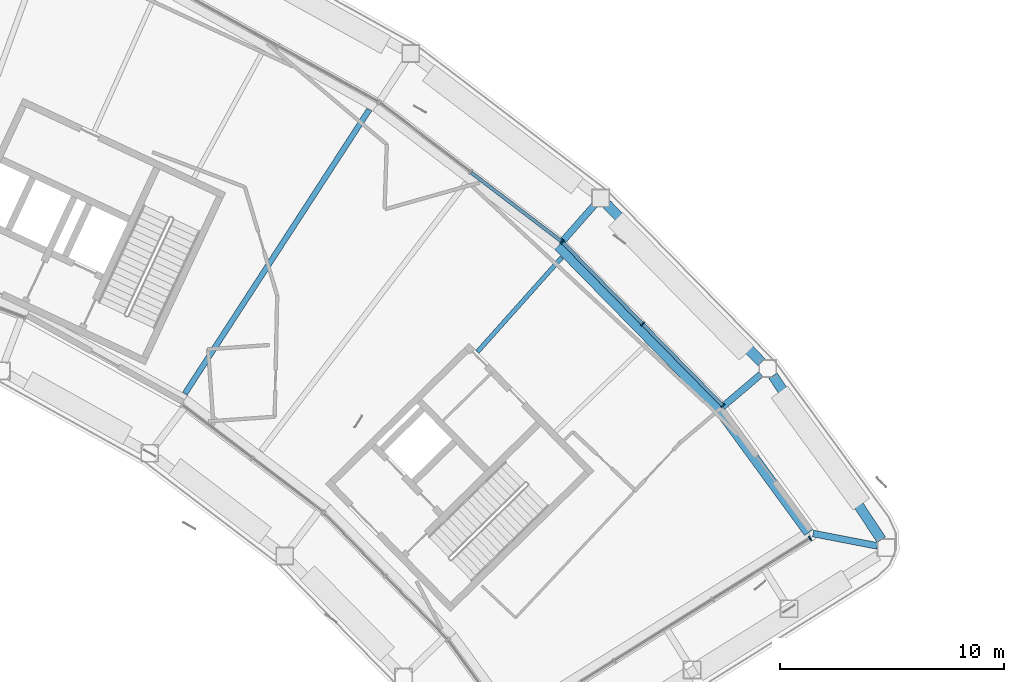
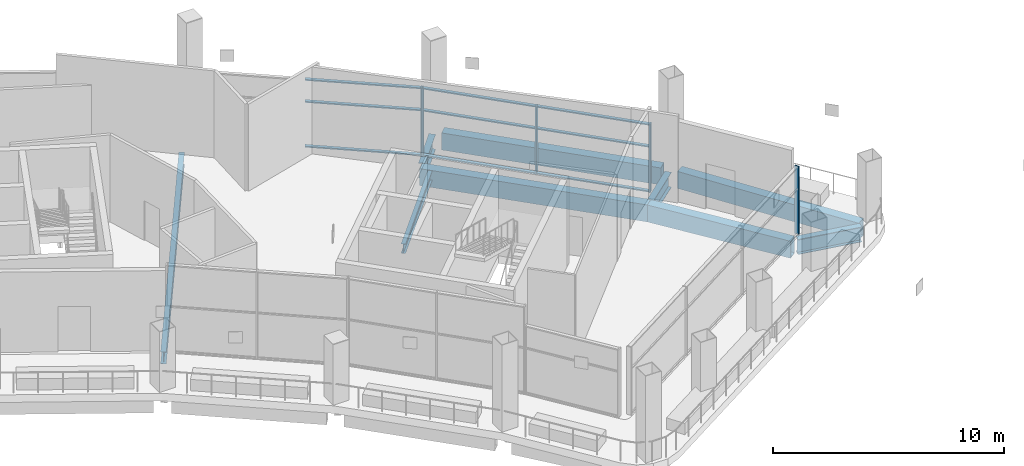
# One storey, part 10 of 29: 14 members, 9 beams, 3 elements without a shape of their own.
"""IFC4 building model written with IfcOpenShell, lengths in metres."""

from ifc_helpers import new_model, si_unit, direction, frame, origin, origin_2d, place, context, subcontext, project, spatial, rectangle, hollow_rectangle, i_section, extrude, material, layer, layer_set, material_profile, profile_set, type_object, element, aggregate, save


model = new_model("IFC4")

# Units and contexts
model_context = context("Model", 3, precision=1e-05, world=origin(), true_north=direction((0.0, 1.0)))
body_context = subcontext(model_context, "Body", "Model", "MODEL_VIEW")
ifc_project = project(units=[si_unit("LENGTHUNIT", "METRE"), si_unit("AREAUNIT", "SQUARE_METRE"), si_unit("VOLUMEUNIT", "CUBIC_METRE"), si_unit("PLANEANGLEUNIT", "RADIAN"), si_unit("MASSUNIT", "GRAM", prefix="KILO")], contexts=[model_context])

# Site, building, storey
site_placement = place(None, origin())
site = spatial("IfcSite", under=ifc_project, at=site_placement, CompositionType="ELEMENT")
building_placement = place(site_placement, origin())
building = spatial("IfcBuilding", under=site, at=building_placement, Name="Tuul Gate Civic Tower", CompositionType="ELEMENT")
storey_placement = place(building_placement, frame((0.0, 0.0, 238.89990234375)))
storey = spatial("IfcBuildingStorey", under=building, at=storey_placement, Name="Sky garden level 2", CompositionType="ELEMENT", Elevation=238.89990234375)

# Curtain wall, members
ifc_material_1 = material(Name="Aluminium", Category="aluminium")
ifc_layer = layer(ifc_material_1, 0.199951171875)
ifc_layer_set = layer_set([ifc_layer], Name="Aluminium")
curtain_wall_type = type_object("IfcCurtainWallType", Name="Curtain wall CW3B", PredefinedType="NOTDEFINED", material=ifc_layer_set)
curtain_wall_1_placement = place(storey_placement, origin())
curtain_wall_1 = element("IfcCurtainWall", 1, at=curtain_wall_1_placement, inside=storey, type_object=curtain_wall_type, Name="Curtain wall CW3B", PredefinedType="NOTDEFINED")
ifc_material_2 = material(Name="Aluminium", Category="aluminium")
ifc_material_profile_1 = material_profile(ifc_material_2, rectangle(XDim=0.219970703125, YDim=0.06005859375, at=origin_2d()), Name="CW3B mullion")
ifc_profile_set_1 = profile_set([ifc_material_profile_1], Name="Aluminium")
member_type_1 = type_object("IfcMemberType", Name="CW3B mullion", PredefinedType="MULLION", material=ifc_profile_set_1)
member_1_placement = place(storey_placement, frame((60.302001953125, -9.214599609375, 0.0), z_axis=(0.0, 0.0, 1.0), x_axis=(-0.714109949145, -0.700033556719, 0.0)))
member_1 = element("IfcMember", 2, at=member_1_placement, type_object=member_type_1, Name="Mullion", PredefinedType="MULLION", context=body_context, shape_type="SweptSolid", body=[
    extrude(rectangle(XDim=0.219970703125, YDim=0.06005859375, at=origin_2d()), origin(), (0.0, 0.0, 1.0), 3.59521484375),
])
member_2_placement = place(storey_placement, frame((56.717529296875, -5.55810546875, 0.0), z_axis=(0.0, 0.0, 1.0), x_axis=(-0.714109949145, -0.700033556719, 0.0)))
member_2 = element("IfcMember", 3, at=member_2_placement, type_object=member_type_1, Name="Mullion", PredefinedType="MULLION", context=body_context, shape_type="SweptSolid", body=[
    extrude(rectangle(XDim=0.219970703125, YDim=0.06005859375, at=origin_2d()), origin(), (0.0, 0.0, 1.0), 3.59521484375),
])
member_3_placement = place(storey_placement, frame((53.133056640625, -1.9013671875, 0.0), z_axis=(0.0, 0.0, 1.0), x_axis=(-0.714109949145, -0.700033556719, 0.0)))
member_3 = element("IfcMember", 4, at=member_3_placement, type_object=member_type_1, Name="Mullion", PredefinedType="MULLION", context=body_context, shape_type="SweptSolid", body=[
    extrude(rectangle(XDim=0.219970703125, YDim=0.06005859375, at=origin_2d()), origin(), (0.0, 0.0, 1.0), 3.59521484375),
])

# Curtain wall, member
curtain_wall_2_placement = place(storey_placement, origin())
curtain_wall_2 = element("IfcCurtainWall", 5, at=curtain_wall_2_placement, inside=storey, type_object=curtain_wall_type, Name="Curtain wall CW3B", PredefinedType="NOTDEFINED")
member_4_placement = place(storey_placement, frame((53.088134765625, -1.86181640625, 0.0), z_axis=(0.0, 0.0, 1.0), x_axis=(-0.605809182627, -0.79560997621, 0.0)))
member_4 = element("IfcMember", 6, at=member_4_placement, type_object=member_type_1, Name="Mullion", PredefinedType="MULLION", context=body_context, shape_type="SweptSolid", body=[
    extrude(rectangle(XDim=0.219970703125, YDim=0.06005859375, at=origin_2d()), origin(), (0.0, 0.0, 1.0), 3.59521484375),
])

curtain_wall_3_placement = place(storey_placement, origin())
curtain_wall_3 = element("IfcCurtainWall", 7, at=curtain_wall_3_placement, inside=storey, type_object=curtain_wall_type, Name="Curtain wall CW3B", PredefinedType="NOTDEFINED")
member_5_placement = place(storey_placement, frame((64.20751953125, -15.14990234375, 0.0), z_axis=(0.0, 0.0, 1.0), x_axis=(-0.529929534473, 0.848041678512, 0.0)))
member_5 = element("IfcMember", 8, at=member_5_placement, type_object=member_type_1, Name="Mullion", PredefinedType="MULLION", context=body_context, shape_type="SweptSolid", body=[
    extrude(rectangle(XDim=0.219970703125, YDim=0.06005859375, at=origin_2d()), origin(), (0.0, 0.0, 1.0), 3.59521484375),
])
aggregate(curtain_wall_3, [member_5])

# Member
ifc_material_3 = material(Name="Aluminium", Category="aluminium")
ifc_material_profile_2 = material_profile(ifc_material_3, rectangle(XDim=0.159912109375, YDim=0.06005859375, at=origin_2d()), Name="CW3B transom")
ifc_profile_set_2 = profile_set([ifc_material_profile_2], Name="Aluminium")
member_type_2 = type_object("IfcMemberType", Name="CW3B transom", PredefinedType="USERDEFINED", material=ifc_profile_set_2)
member_6_placement = place(storey_placement, frame((60.281005859375, -9.193115234375, 0.030029296875), z_axis=(-0.700027998076, 0.714115398175, 0.0), x_axis=(-0.714115398175, -0.700027998076, 0.0)))
member_6 = element("IfcMember", 9, at=member_6_placement, type_object=member_type_2, Name="Transom", ObjectType="TRANSOM", PredefinedType="USERDEFINED", context=body_context, shape_type="SweptSolid", body=[
    extrude(rectangle(XDim=0.159912109375, YDim=0.06005859375, at=origin_2d()), origin(), (0.0, 0.0, 1.0), 5.060546875),
])

member_7_placement = place(storey_placement, frame((60.281005859375, -9.193115234375, 2.400146484375), z_axis=(-0.700027998076, 0.714115398175, 0.0), x_axis=(-0.714115398175, -0.700027998076, 0.0)))
member_7 = element("IfcMember", 10, at=member_7_placement, type_object=member_type_2, Name="Transom", ObjectType="TRANSOM", PredefinedType="USERDEFINED", context=body_context, shape_type="SweptSolid", body=[
    extrude(rectangle(XDim=0.159912109375, YDim=0.06005859375, at=origin_2d()), origin(), (0.0, 0.0, 1.0), 5.060546875),
])

member_8_placement = place(storey_placement, frame((60.281005859375, -9.193115234375, 3.565185546875), z_axis=(-0.700027998076, 0.714115398175, 0.0), x_axis=(-0.714115398175, -0.700027998076, 0.0)))
member_8 = element("IfcMember", 11, at=member_8_placement, type_object=member_type_2, Name="Transom", ObjectType="TRANSOM", PredefinedType="USERDEFINED", context=body_context, shape_type="SweptSolid", body=[
    extrude(rectangle(XDim=0.159912109375, YDim=0.06005859375, at=origin_2d()), origin(), (0.0, 0.0, 1.0), 5.060546875),
])

member_9_placement = place(storey_placement, frame((56.696533203125, -5.53662109375, 0.030029296875), z_axis=(-0.700027998076, 0.714115398175, 0.0), x_axis=(-0.714115398175, -0.700027998076, 0.0)))
member_9 = element("IfcMember", 12, at=member_9_placement, type_object=member_type_2, Name="Transom", ObjectType="TRANSOM", PredefinedType="USERDEFINED", context=body_context, shape_type="SweptSolid", body=[
    extrude(rectangle(XDim=0.159912109375, YDim=0.06005859375, at=origin_2d()), origin(), (0.0, 0.0, 1.0), 5.060546875),
])

member_10_placement = place(storey_placement, frame((56.696533203125, -5.53662109375, 2.400146484375), z_axis=(-0.700027998076, 0.714115398175, 0.0), x_axis=(-0.714115398175, -0.700027998076, 0.0)))
member_10 = element("IfcMember", 13, at=member_10_placement, type_object=member_type_2, Name="Transom", ObjectType="TRANSOM", PredefinedType="USERDEFINED", context=body_context, shape_type="SweptSolid", body=[
    extrude(rectangle(XDim=0.159912109375, YDim=0.06005859375, at=origin_2d()), origin(), (0.0, 0.0, 1.0), 5.060546875),
])

member_11_placement = place(storey_placement, frame((56.696533203125, -5.53662109375, 3.565185546875), z_axis=(-0.700027998076, 0.714115398175, 0.0), x_axis=(-0.714115398175, -0.700027998076, 0.0)))
member_11 = element("IfcMember", 14, at=member_11_placement, type_object=member_type_2, Name="Transom", ObjectType="TRANSOM", PredefinedType="USERDEFINED", context=body_context, shape_type="SweptSolid", body=[
    extrude(rectangle(XDim=0.159912109375, YDim=0.06005859375, at=origin_2d()), origin(), (0.0, 0.0, 1.0), 5.060546875),
])

aggregate(curtain_wall_1, [member_1, member_2, member_3, member_6, member_7, member_8, member_9, member_10, member_11])

member_12_placement = place(storey_placement, frame((53.064208984375, -1.84375, 0.030029296875), z_axis=(-0.795590069809, 0.605835324838, 0.0), x_axis=(-0.605835324838, -0.795590069809, 0.0)))
member_12 = element("IfcMember", 15, at=member_12_placement, type_object=member_type_2, Name="Transom", ObjectType="TRANSOM", PredefinedType="USERDEFINED", context=body_context, shape_type="SweptSolid", body=[
    extrude(rectangle(XDim=0.159912109375, YDim=0.06005859375, at=origin_2d()), origin(), (0.0, 0.0, 1.0), 5.060302734375),
])

member_13_placement = place(storey_placement, frame((53.064208984375, -1.84375, 2.400146484375), z_axis=(-0.795590069809, 0.605835324838, 0.0), x_axis=(-0.605835324838, -0.795590069809, 0.0)))
member_13 = element("IfcMember", 16, at=member_13_placement, type_object=member_type_2, Name="Transom", ObjectType="TRANSOM", PredefinedType="USERDEFINED", context=body_context, shape_type="SweptSolid", body=[
    extrude(rectangle(XDim=0.159912109375, YDim=0.06005859375, at=origin_2d()), origin(), (0.0, 0.0, 1.0), 5.060302734375),
])

member_14_placement = place(storey_placement, frame((53.064208984375, -1.84375, 3.565185546875), z_axis=(-0.795590069809, 0.605835324838, 0.0), x_axis=(-0.605835324838, -0.795590069809, 0.0)))
member_14 = element("IfcMember", 17, at=member_14_placement, type_object=member_type_2, Name="Transom", ObjectType="TRANSOM", PredefinedType="USERDEFINED", context=body_context, shape_type="SweptSolid", body=[
    extrude(rectangle(XDim=0.159912109375, YDim=0.06005859375, at=origin_2d()), origin(), (0.0, 0.0, 1.0), 5.060302734375),
])

aggregate(curtain_wall_2, [member_4, member_12, member_13, member_14])

# Beams
ifc_material_4 = material(Name="Steel S355", Category="steel")
ifc_material_profile_3 = material_profile(ifc_material_4, i_section(OverallWidth=0.199951171875, OverallDepth=0.5, WebThickness=0.010009765625, FlangeThickness=0.01611328125, at=origin_2d()), Name="PG500x200x10x16")
ifc_profile_set_3 = profile_set([ifc_material_profile_3], Name="Steel S355")
beam_type_1 = type_object("IfcBeamType", Name="STR-FLOOR BEAM-PG500x200x10x16", PredefinedType="BEAM", material=ifc_profile_set_3)
beam_1_placement = place(storey_placement, frame((49.32373046875, -6.806396484375, -0.64990234375), z_axis=(0.666516487401, 0.74549028969, 0.0), x_axis=(-0.74549028969, 0.666516487401, 0.0)))
element("IfcBeam", 18, at=beam_1_placement, inside=storey, type_object=beam_type_1, Name="Floor beam", PredefinedType="BEAM", context=body_context, shape_type="SweptSolid", body=[
    extrude(i_section(OverallWidth=0.199951171875, OverallDepth=0.5, WebThickness=0.010009765625, FlangeThickness=0.01611328125, at=origin_2d()), origin(), (0.0, 0.0, 1.0), 5.66650390625),
])
ifc_material_5 = material(Name="Steel S355", Category="steel")
ifc_material_profile_4 = material_profile(ifc_material_5, i_section(OverallWidth=0.25, OverallDepth=0.64990234375, WebThickness=0.011962890625, FlangeThickness=0.02001953125, at=origin_2d()), Name="PG650x250x12x20")
ifc_profile_set_4 = profile_set([ifc_material_profile_4], Name="Steel S355")
beam_type_2 = type_object("IfcBeamType", Name="STR-FLOOR BEAM-PG650x250x12x20", PredefinedType="BEAM", material=ifc_profile_set_4)
beam_2_placement = place(storey_placement, frame((36.2421875, -8.66796875, -0.724853515625), z_axis=(0.544610157726, 0.838689320369, 0.0), x_axis=(-0.838689320369, 0.544610157726, 0.0)))
element("IfcBeam", 19, at=beam_2_placement, inside=storey, type_object=beam_type_2, Name="Floor beam", PredefinedType="BEAM", context=body_context, shape_type="SweptSolid", body=[
    extrude(i_section(OverallWidth=0.25, OverallDepth=0.64990234375, WebThickness=0.011962890625, FlangeThickness=0.02001953125, at=origin_2d()), origin(), (0.0, 0.0, 1.0), 15.13671875),
])
ifc_material_6 = material(Name="Steel S355", Category="steel")
ifc_material_profile_5 = material_profile(ifc_material_6, i_section(OverallWidth=0.300048828125, OverallDepth=0.800048828125, WebThickness=0.013916015625, FlangeThickness=0.02490234375, at=origin_2d()), Name="PG800x300x14x25")
ifc_profile_set_5 = profile_set([ifc_material_profile_5], Name="Steel S355")
beam_type_3 = type_object("IfcBeamType", Name="STR-FLOOR BEAM-PG800x300x14x25", PredefinedType="BEAM", material=ifc_profile_set_5)
beam_3_placement = place(storey_placement, frame((67.21826171875, -15.487060546875, -0.7998046875), z_axis=(-0.981879019045, 0.189508817629, 0.0), x_axis=(-0.189508817629, -0.981879019045, 0.0)))
element("IfcBeam", 20, at=beam_3_placement, inside=storey, type_object=beam_type_3, Name="Terrace beam", PredefinedType="BEAM", context=body_context, shape_type="SweptSolid", body=[
    extrude(i_section(OverallWidth=0.300048828125, OverallDepth=0.800048828125, WebThickness=0.013916015625, FlangeThickness=0.02490234375, at=origin_2d()), origin(), (0.0, 0.0, 1.0), 2.929443359375),
])
beam_4_placement = place(storey_placement, frame((62.0068359375, -7.80859375, -0.7998046875), z_axis=(-0.76268043858, -0.646775500933, 0.0), x_axis=(0.646775500933, -0.76268043858, 0.0)))
element("IfcBeam", 21, at=beam_4_placement, inside=storey, type_object=beam_type_3, Name="Terrace beam", PredefinedType="BEAM", context=body_context, shape_type="SweptSolid", body=[
    extrude(i_section(OverallWidth=0.300048828125, OverallDepth=0.800048828125, WebThickness=0.013916015625, FlangeThickness=0.02490234375, at=origin_2d()), origin(), (0.0, 0.0, 1.0), 2.258056640625),
])
beam_5_placement = place(storey_placement, frame((54.572265625, -0.224853515625, -0.7998046875), z_axis=(-0.661546518709, -0.749904129595, 0.0), x_axis=(0.749904129595, -0.661546518709, 0.0)))
element("IfcBeam", 22, at=beam_5_placement, inside=storey, type_object=beam_type_3, Name="Terrace beam", PredefinedType="BEAM", context=body_context, shape_type="SweptSolid", body=[
    extrude(i_section(OverallWidth=0.300048828125, OverallDepth=0.800048828125, WebThickness=0.013916015625, FlangeThickness=0.02490234375, at=origin_2d()), origin(), (0.0, 0.0, 1.0), 2.257568359375),
])
ifc_material_7 = material(Name="Steel S355", Category="steel")
ifc_material_profile_6 = material_profile(ifc_material_7, hollow_rectangle(XDim=0.449951171875, YDim=0.89990234375, WallThickness=0.02490234375, at=origin_2d()), Name="BOX900x450x25")
ifc_profile_set_6 = profile_set([ifc_material_profile_6], Name="Steel S355")
beam_type_4 = type_object("IfcBeamType", Name="STR-SPANDREL BEAM-BOX900x450x25", PredefinedType="BEAM", material=ifc_profile_set_6)
beam_6_placement = place(storey_placement, frame((52.946533203125, -2.067626953125, -0.849853515625), z_axis=(0.700007679788, -0.714135315076, 0.0), x_axis=(0.714135315076, 0.700007679788, 0.0)))
element("IfcBeam", 23, at=beam_6_placement, inside=storey, type_object=beam_type_4, Name="Spandrel beam", PredefinedType="BEAM", context=body_context, shape_type="SweptSolid", body=[
    extrude(hollow_rectangle(XDim=0.449951171875, YDim=0.89990234375, WallThickness=0.02490234375, at=origin_2d()), origin(), (0.0, 0.0, 1.0), 10.264892578125),
])
beam_7_placement = place(storey_placement, frame((60.132080078125, -9.398193359375, -0.849853515625), z_axis=(0.589751213001, -0.807584984236, 0.0), x_axis=(0.807584984236, 0.589751213001, 0.0)))
element("IfcBeam", 24, at=beam_7_placement, inside=storey, type_object=beam_type_4, Name="Spandrel beam", PredefinedType="BEAM", context=body_context, shape_type="SweptSolid", body=[
    extrude(hollow_rectangle(XDim=0.449951171875, YDim=0.89990234375, WallThickness=0.02490234375, at=origin_2d()), origin(), (0.0, 0.0, 1.0), 6.80517578125),
])
beam_8_placement = place(storey_placement, frame((67.39306640625, -15.205810546875, -0.849853515625), z_axis=(-0.551285234429, 0.834316840475, 0.0), x_axis=(-0.834316840475, -0.551285234429, 0.0)))
element("IfcBeam", 25, at=beam_8_placement, inside=storey, type_object=beam_type_4, Name="Terrace edge beam", PredefinedType="BEAM", context=body_context, shape_type="SweptSolid", body=[
    extrude(hollow_rectangle(XDim=0.449951171875, YDim=0.89990234375, WallThickness=0.02490234375, at=origin_2d()), origin(), (0.0, 0.0, 1.0), 8.7890625),
])
beam_9_placement = place(storey_placement, frame((62.031982421875, -7.264404296875, -0.849853515625), z_axis=(-0.700052630296, 0.714091251042, 0.0), x_axis=(-0.714091251042, -0.700052630296, 0.0)))
element("IfcBeam", 26, at=beam_9_placement, inside=storey, type_object=beam_type_4, Name="Terrace edge beam", PredefinedType="BEAM", context=body_context, shape_type="SweptSolid", body=[
    extrude(hollow_rectangle(XDim=0.449951171875, YDim=0.89990234375, WallThickness=0.02490234375, at=origin_2d()), origin(), (0.0, 0.0, 1.0), 9.8779296875),
])

save(model, "model.ifc")
